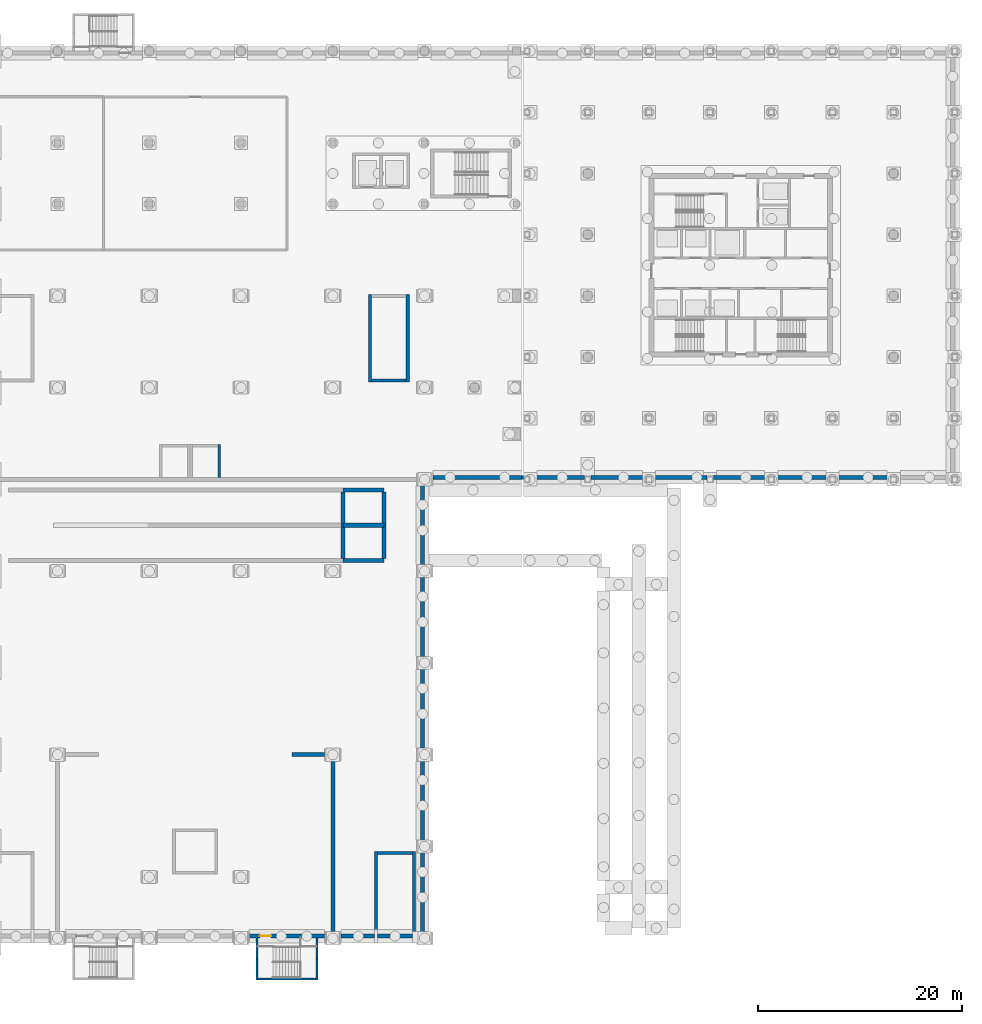
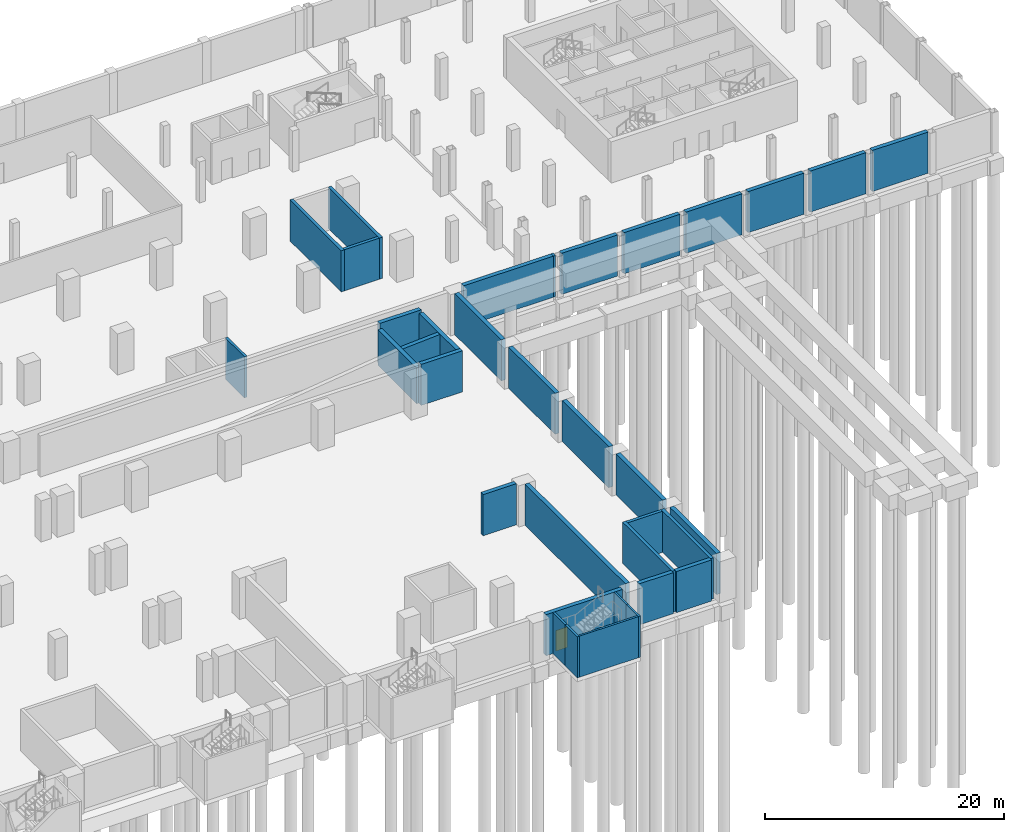
# One storey, part 15 of 29: 35 walls, 1 door, 1 opening.
"""IFC4 building model written with IfcOpenShell, lengths in metres."""

from ifc_helpers import new_model, si_unit, direction, frame, frame_2d, origin, place, context, subcontext, project, spatial, polyline, rectangle, outline, extrude, material, layer, layer_set, type_object, element, fill, save


model = new_model("IFC4")

# Units and contexts
model_context = context("Model", 3, precision=1e-05, world=origin(), true_north=direction((0.0, 1.0)))
body_context = subcontext(model_context, "Body", "Model", "MODEL_VIEW")
ifc_project = project(units=[si_unit("LENGTHUNIT", "METRE"), si_unit("AREAUNIT", "SQUARE_METRE"), si_unit("VOLUMEUNIT", "CUBIC_METRE"), si_unit("PLANEANGLEUNIT", "RADIAN"), si_unit("MASSUNIT", "GRAM", prefix="KILO")], contexts=[model_context])

# Site, building, storey
site_placement = place(None, origin())
site = spatial("IfcSite", under=ifc_project, at=site_placement, CompositionType="ELEMENT")
building_placement = place(site_placement, origin())
building = spatial("IfcBuilding", under=site, at=building_placement, Name="Aravalli Gate Trade Fair Centre", CompositionType="ELEMENT")
storey_placement = place(building_placement, frame((0.0, 0.0, -8.39990234375)))
storey = spatial("IfcBuildingStorey", under=building, at=storey_placement, Name="B2", CompositionType="ELEMENT", Elevation=-8.39990234375)

# Walls
ifc_material_1 = material(Name="Compressible joint filler")
ifc_layer_1 = layer(ifc_material_1, 0.169921875, Name="Joint filler, soil side")
ifc_material_2 = material(Name="PVC waterstop")
ifc_layer_2 = layer(ifc_material_2, 0.06005859375, Name="PVC waterstop, centre bulb")
ifc_layer_3 = layer(ifc_material_1, 0.169921875, Name="Joint filler, inner face")
ifc_layer_set_1 = layer_set([ifc_layer_1, ifc_layer_2, ifc_layer_3], Name="Basement joint filler wall 400")
wall_type_1 = type_object("IfcWallType", Name="Basement joint filler wall 400", PredefinedType="SOLIDWALL", material=ifc_layer_set_1)
wall_1_placement = place(storey_placement, frame((159.5, 91.199951171875, 0.0), z_axis=(0.0, 0.0, 1.0), x_axis=(1.0, 0.0, 0.0)))
element("IfcWall", 1, at=wall_1_placement, inside=storey, type_object=wall_type_1, Name="Joint filler wall S2 B2", PredefinedType="SOLIDWALL", context=body_context, shape_type="SweptSolid", body=[
    extrude(rectangle(XDim=0.199951171875, YDim=0.39990234375, at=frame_2d((0.10009765625, 0.0))), origin(), (0.0, 0.0, 1.0), 4.199951171875),
])
ifc_material_3 = material(Name="Concrete M40", Category="concrete")
ifc_layer_4 = layer(ifc_material_3, 0.39990234375)
ifc_layer_set_2 = layer_set([ifc_layer_4], Name="Concrete M40")
wall_type_2 = type_object("IfcWallType", Name="Basement ramp edge wall 400", PredefinedType="SOLIDWALL", material=ifc_layer_set_2)
wall_2_placement = place(storey_placement, frame((146.0, 83.050048828125, 0.0), z_axis=(0.0, 0.0, 1.0), x_axis=(-1.0, 0.0, 0.0)))
element("IfcWall", 2, at=wall_2_placement, inside=storey, type_object=wall_type_2, Name="Ramp edge wall south a", PredefinedType="SOLIDWALL", context=body_context, shape_type="SweptSolid", body=[
    extrude(rectangle(XDim=4.0, YDim=0.39990234375, at=frame_2d((2.0, 0.0))), origin(), (0.0, 0.0, 1.0), 4.199951171875),
])
wall_3_placement = place(storey_placement, frame((146.0, 86.5, 0.0), z_axis=(0.0, 0.0, 1.0), x_axis=(-1.0, 0.0, 0.0)))
element("IfcWall", 3, at=wall_3_placement, inside=storey, type_object=wall_type_2, Name="Ramp bearing wall centre a", PredefinedType="SOLIDWALL", context=body_context, shape_type="SweptSolid", body=[
    extrude(outline(polyline([(0.0, 0.0), (4.0, 0.0), (4.0, 3.599853515625), (0.0, 3.849853515625), (0.0, 0.0)])), frame((0.0, 0.199951171875, 0.0), z_axis=(0.0, -1.0, 0.0), x_axis=(1.0, 0.0, 0.0)), (0.0, 0.0, 1.0), 0.39990234375),
])
wall_4_placement = place(storey_placement, frame((146.0, 89.949951171875, 0.0), z_axis=(0.0, 0.0, 1.0), x_axis=(-1.0, 0.0, 0.0)))
element("IfcWall", 4, at=wall_4_placement, inside=storey, type_object=wall_type_2, Name="Ramp edge wall north a", PredefinedType="SOLIDWALL", context=body_context, shape_type="SweptSolid", body=[
    extrude(rectangle(XDim=4.0, YDim=0.39990234375, at=frame_2d((2.0, 0.0))), origin(), (0.0, 0.0, 1.0), 4.199951171875),
])
wall_5_placement = place(storey_placement, frame((146.0, 83.25, 0.0), z_axis=(0.0, 0.0, 1.0), x_axis=(0.0, 1.0, 0.0)))
element("IfcWall", 5, at=wall_5_placement, inside=storey, type_object=wall_type_2, Name="Ramp bearing wall B1", PredefinedType="SOLIDWALL", context=body_context, shape_type="SweptSolid", body=[
    extrude(rectangle(XDim=6.5, YDim=0.39990234375, at=frame_2d((3.25, 0.0))), origin(), (0.0, 0.0, 1.0), 3.89990234375),
])
wall_6_placement = place(storey_placement, frame((142.0, 83.25, 0.0), z_axis=(0.0, 0.0, 1.0), x_axis=(0.0, 1.0, 0.0)))
element("IfcWall", 6, at=wall_6_placement, inside=storey, type_object=wall_type_2, Name="Ramp bearing wall B2", PredefinedType="SOLIDWALL", context=body_context, shape_type="SweptSolid", body=[
    extrude(rectangle(XDim=6.5, YDim=0.39990234375, at=frame_2d((3.25, 0.0))), origin(), (0.0, 0.0, 1.0), 3.64990234375),
])

# Wall, opening, door
ifc_layer_5 = layer(ifc_material_3, 0.39990234375)
ifc_layer_set_3 = layer_set([ifc_layer_5], Name="Concrete M40")
wall_type_3 = type_object("IfcWallType", Name="Basement retaining wall 400", PredefinedType="SOLIDWALL", material=ifc_layer_set_3)
wall_7_placement = place(storey_placement, frame((132.800048828125, 46.199951171875, 0.0), z_axis=(0.0, 0.0, 1.0), x_axis=(1.0, 0.0, 0.0)))
wall_7 = element("IfcWall", 7, at=wall_7_placement, inside=storey, type_object=wall_type_3, Name="Retaining wall S16 B2", PredefinedType="SOLIDWALL", context=body_context, shape_type="SweptSolid", body=[
    extrude(rectangle(XDim=7.39990234375, YDim=0.39990234375, at=frame_2d((3.699951171875, 0.0))), origin(), (0.0, 0.0, 1.0), 4.199951171875),
])
opening_placement = place(wall_7_placement, frame((1.050048828125, 0.0, 0.0)))
opening = element("IfcOpeningElement", 8, at=opening_placement, cuts=wall_7, Name="Opening B-B2-13", PredefinedType="OPENING", context=body_context, shape_type="SweptSolid", body=[
    extrude(rectangle(XDim=1.10009765625, YDim=2.10009765625, at=frame_2d((0.550048828125, 1.050048828125))), frame((0.0, 0.2099609375, 0.0), z_axis=(0.0, -1.0, 0.0), x_axis=(1.0, 0.0, 0.0)), (0.0, 0.0, 1.0), 0.419921875),
])
ifc_material_4 = material(Name="Steel", Category="steel")
door_type = type_object("IfcDoorType", Name="Basement stair door 1100x2100", OperationType="SINGLE_SWING_LEFT", PredefinedType="DOOR", material=ifc_material_4)
door_placement = place(opening_placement, frame((1.10009765625, 0.0, 0.0), z_axis=(0.0, 0.0, 1.0), x_axis=(-1.0, 0.0, 0.0)))
door = element("IfcDoor", 9, at=door_placement, inside=storey, type_object=door_type, Name="Basement stair S7 door B2", OperationType="SINGLE_SWING_RIGHT", OverallHeight=2.10009765625, OverallWidth=1.10009765625, PredefinedType="DOOR", context=body_context, shape_type="SweptSolid", body=[
    extrude(rectangle(XDim=1.10009765625, YDim=2.10009765625, at=frame_2d((0.550048828125, 1.050048828125))), frame((0.0, 0.02490234375, 0.0), z_axis=(0.0, -1.0, 0.0), x_axis=(1.0, 0.0, 0.0)), (0.0, 0.0, 1.0), 0.050048828125),
])
fill(opening, door)

# Walls
wall_8_placement = place(storey_placement, frame((141.800048828125, 46.199951171875, 0.0), z_axis=(0.0, 0.0, 1.0), x_axis=(1.0, 0.0, 0.0)))
element("IfcWall", 10, at=wall_8_placement, inside=storey, type_object=wall_type_3, Name="Retaining wall S17 B2", PredefinedType="SOLIDWALL", context=body_context, shape_type="SweptSolid", body=[
    extrude(rectangle(XDim=3.300048828125, YDim=0.39990234375, at=frame_2d((1.64990234375, 0.0))), origin(), (0.0, 0.0, 1.0), 4.199951171875),
])
wall_9_placement = place(storey_placement, frame((145.39990234375, 46.199951171875, 0.0), z_axis=(0.0, 0.0, 1.0), x_axis=(1.0, 0.0, 0.0)))
element("IfcWall", 11, at=wall_9_placement, inside=storey, type_object=wall_type_3, Name="Retaining wall S18 B2", PredefinedType="SOLIDWALL", context=body_context, shape_type="SweptSolid", body=[
    extrude(rectangle(XDim=3.400146484375, YDim=0.39990234375, at=frame_2d((1.7001953125, 0.0))), origin(), (0.0, 0.0, 1.0), 4.199951171875),
])
for number, where, z_axis, x_axis, name in (
    (12, (149.800048828125, 46.60009765625, 0.0), (0.0, 0.0, 1.0), (0.0, 1.0, 0.0), "Retaining wall E101 B2"),
    (13, (149.800048828125, 55.60009765625, 0.0), (0.0, 0.0, 1.0), (0.0, 1.0, 0.0), "Retaining wall E102 B2"),
    (14, (149.800048828125, 64.60009765625, 0.0), (0.0, 0.0, 1.0), (0.0, 1.0, 0.0), "Retaining wall E103 B2"),
    (15, (149.800048828125, 73.60009765625, 0.0), (0.0, 0.0, 1.0), (0.0, 1.0, 0.0), "Retaining wall E104 B2"),
    (16, (149.800048828125, 82.60009765625, 0.0), (0.0, 0.0, 1.0), (0.0, 1.0, 0.0), "Retaining wall E105 B2"),
):
    element("IfcWall", number, at=place(storey_placement, frame(where, z_axis=z_axis, x_axis=x_axis)), inside=storey, type_object=wall_type_3, Name=name, PredefinedType="SOLIDWALL", context=body_context, shape_type="SweptSolid", body=[
        extrude(rectangle(XDim=7.7998046875, YDim=0.39990234375, at=frame_2d((3.89990234375, 0.0))), origin(), (0.0, 0.0, 1.0), 4.199951171875),
    ])
wall_10_placement = place(storey_placement, frame((150.800048828125, 91.199951171875, 0.0), z_axis=(0.0, 0.0, 1.0), x_axis=(1.0, 0.0, 0.0)))
element("IfcWall", 17, at=wall_10_placement, inside=storey, type_object=wall_type_3, Name="Retaining wall S201 B2", PredefinedType="SOLIDWALL", context=body_context, shape_type="SweptSolid", body=[
    extrude(rectangle(XDim=8.699951171875, YDim=0.39990234375, at=frame_2d((4.35009765625, 0.0))), origin(), (0.0, 0.0, 1.0), 4.199951171875),
])
for number, where, z_axis, x_axis, name in (
    (18, (160.300048828125, 91.199951171875, 0.0), (0.0, 0.0, 1.0), (1.0, 0.0, 0.0), "Retaining wall S202 B2"),
    (19, (166.300048828125, 91.199951171875, 0.0), (0.0, 0.0, 1.0), (1.0, 0.0, 0.0), "Retaining wall S203 B2"),
    (20, (172.300048828125, 91.199951171875, 0.0), (0.0, 0.0, 1.0), (1.0, 0.0, 0.0), "Retaining wall S204 B2"),
    (21, (178.300048828125, 91.199951171875, 0.0), (0.0, 0.0, 1.0), (1.0, 0.0, 0.0), "Retaining wall S205 B2"),
    (22, (184.300048828125, 91.199951171875, 0.0), (0.0, 0.0, 1.0), (1.0, 0.0, 0.0), "Retaining wall S206 B2"),
    (23, (190.300048828125, 91.199951171875, 0.0), (0.0, 0.0, 1.0), (1.0, 0.0, 0.0), "Retaining wall S207 B2"),
):
    element("IfcWall", number, at=place(storey_placement, frame(where, z_axis=z_axis, x_axis=x_axis)), inside=storey, type_object=wall_type_3, Name=name, PredefinedType="SOLIDWALL", context=body_context, shape_type="SweptSolid", body=[
        extrude(rectangle(XDim=5.39990234375, YDim=0.39990234375, at=frame_2d((2.699951171875, 0.0))), origin(), (0.0, 0.0, 1.0), 4.199951171875),
    ])
ifc_material_5 = material(Name="Concrete M35", Category="concrete")
ifc_layer_6 = layer(ifc_material_5, 0.199951171875)
ifc_layer_set_4 = layer_set([ifc_layer_6], Name="Concrete M35")
wall_type_4 = type_object("IfcWallType", Name="Basement stair enclosure wall 200", PredefinedType="SOLIDWALL", material=ifc_layer_set_4)
for number, where, z_axis, x_axis, name in (
    (24, (133.550048828125, 46.0, 0.0), (0.0, 0.0, 1.0), (0.0, -1.0, 0.0), "Basement stair S7 enclosure wall L1 B2"),
    (25, (133.550048828125, 43.949951171875, 0.0), (0.0, 0.0, 1.0), (0.0, -1.0, 0.0), "Basement stair S7 enclosure wall L2 B2"),
    (26, (139.449951171875, 46.0, 0.0), (0.0, 0.0, 1.0), (0.0, -1.0, 0.0), "Basement stair S7 enclosure wall R1 B2"),
    (27, (139.449951171875, 43.949951171875, 0.0), (0.0, 0.0, 1.0), (0.0, -1.0, 0.0), "Basement stair S7 enclosure wall R2 B2"),
):
    element("IfcWall", number, at=place(storey_placement, frame(where, z_axis=z_axis, x_axis=x_axis)), inside=storey, type_object=wall_type_4, Name=name, PredefinedType="SOLIDWALL", context=body_context, shape_type="SweptSolid", body=[
        extrude(rectangle(XDim=2.050048828125, YDim=0.199951171875, at=frame_2d((1.02490234375, 0.0))), origin(), (0.0, 0.0, 1.0), 4.199951171875),
    ])
wall_11_placement = place(storey_placement, frame((133.64990234375, 42.0, 0.0), z_axis=(0.0, 0.0, 1.0), x_axis=(1.0, 0.0, 0.0)))
element("IfcWall", 28, at=wall_11_placement, inside=storey, type_object=wall_type_4, Name="Basement stair S7 enclosure wall O B2", PredefinedType="SOLIDWALL", context=body_context, shape_type="SweptSolid", body=[
    extrude(rectangle(XDim=5.7001953125, YDim=0.199951171875, at=frame_2d((2.85009765625, 0.0))), origin(), (0.0, 0.0, 1.0), 4.199951171875),
])
ifc_layer_7 = layer(ifc_material_3, 0.25)
ifc_layer_set_5 = layer_set([ifc_layer_7], Name="Concrete M40")
wall_type_5 = type_object("IfcWallType", Name="Congress RC wall 250 shaft", PredefinedType="SHEAR", material=ifc_layer_set_5)
wall_12_placement = place(storey_placement, frame((129.875, 91.199951171875, 0.0), z_axis=(0.0, 0.0, 1.0), x_axis=(0.0, 1.0, 0.0)))
element("IfcWall", 29, at=wall_12_placement, inside=storey, type_object=wall_type_5, Name="Lift GL2 shaft wall E B2", PredefinedType="SHEAR", context=body_context, shape_type="SweptSolid", body=[
    extrude(rectangle(XDim=3.199951171875, YDim=0.25, at=frame_2d((1.60009765625, 0.0))), origin(), (0.0, 0.0, 1.0), 4.199951171875),
])
ifc_layer_8 = layer(ifc_material_3, 0.300048828125)
ifc_layer_set_6 = layer_set([ifc_layer_8], Name="Concrete M40")
wall_type_6 = type_object("IfcWallType", Name="Congress RC wall 300", PredefinedType="SHEAR", material=ifc_layer_set_6)
for number, where, z_axis, x_axis, name in (
    (30, (145.25, 46.199951171875, 0.0), (0.0, 0.0, 1.0), (0.0, 1.0, 0.0), "Stage Stair East wall W B2"),
    (31, (148.949951171875, 46.199951171875, 0.0), (0.0, 0.0, 1.0), (0.0, 1.0, 0.0), "Stage Stair East wall E B2"),
):
    element("IfcWall", number, at=place(storey_placement, frame(where, z_axis=z_axis, x_axis=x_axis)), inside=storey, type_object=wall_type_6, Name=name, PredefinedType="SHEAR", context=body_context, shape_type="SweptSolid", body=[
        extrude(rectangle(XDim=8.300048828125, YDim=0.300048828125, at=frame_2d((4.14990234375, 0.0))), origin(), (0.0, 0.0, 1.0), 4.199951171875),
    ])
wall_13_placement = place(storey_placement, frame((145.39990234375, 54.35009765625, 0.0), z_axis=(0.0, 0.0, 1.0), x_axis=(1.0, 0.0, 0.0)))
element("IfcWall", 32, at=wall_13_placement, inside=storey, type_object=wall_type_6, Name="Stage Stair East wall N B2", PredefinedType="SHEAR", context=body_context, shape_type="SweptSolid", body=[
    extrude(rectangle(XDim=3.400146484375, YDim=0.300048828125, at=frame_2d((1.7001953125, 0.0))), origin(), (0.0, 0.0, 1.0), 4.199951171875),
])
for number, where, z_axis, x_axis, name in (
    (33, (144.64990234375, 100.550048828125, 0.0), (0.0, 0.0, 1.0), (0.0, 1.0, 0.0), "Foyer Stair East wall W B2"),
    (34, (148.35009765625, 100.550048828125, 0.0), (0.0, 0.0, 1.0), (0.0, 1.0, 0.0), "Foyer Stair East wall E B2"),
):
    element("IfcWall", number, at=place(storey_placement, frame(where, z_axis=z_axis, x_axis=x_axis)), inside=storey, type_object=wall_type_6, Name=name, PredefinedType="SHEAR", context=body_context, shape_type="SweptSolid", body=[
        extrude(rectangle(XDim=8.599853515625, YDim=0.300048828125, at=frame_2d((4.2998046875, 0.0))), origin(), (0.0, 0.0, 1.0), 4.199951171875),
    ])
wall_14_placement = place(storey_placement, frame((144.800048828125, 100.699951171875, 0.0), z_axis=(0.0, 0.0, 1.0), x_axis=(1.0, 0.0, 0.0)))
element("IfcWall", 35, at=wall_14_placement, inside=storey, type_object=wall_type_6, Name="Foyer Stair East wall S B2", PredefinedType="SHEAR", context=body_context, shape_type="SweptSolid", body=[
    extrude(rectangle(XDim=3.39990234375, YDim=0.300048828125, at=frame_2d((1.699951171875, 0.0))), origin(), (0.0, 0.0, 1.0), 4.199951171875),
])
ifc_layer_9 = layer(ifc_material_3, 0.39990234375)
ifc_layer_set_7 = layer_set([ifc_layer_9], Name="Concrete M40")
wall_type_7 = type_object("IfcWallType", Name="Congress RC wall 400", PredefinedType="SHEAR", material=ifc_layer_set_7)
wall_15_placement = place(storey_placement, frame((141.0, 46.60009765625, 0.0), z_axis=(0.0, 0.0, 1.0), x_axis=(0.0, 1.0, 0.0)))
element("IfcWall", 36, at=wall_15_placement, inside=storey, type_object=wall_type_7, Name="Stage house wall line 141 B2", PredefinedType="SHEAR", context=body_context, shape_type="SweptSolid", body=[
    extrude(rectangle(XDim=16.7998046875, YDim=0.39990234375, at=frame_2d((8.39990234375, 0.0))), origin(), (0.0, 0.0, 1.0), 4.199951171875),
])
wall_16_placement = place(storey_placement, frame((137.0, 64.0, 0.0), z_axis=(0.0, 0.0, 1.0), x_axis=(1.0, 0.0, 0.0)))
element("IfcWall", 37, at=wall_16_placement, inside=storey, type_object=wall_type_7, Name="Proscenium wall E B2", PredefinedType="SHEAR", context=body_context, shape_type="SweptSolid", body=[
    extrude(rectangle(XDim=3.199951171875, YDim=0.39990234375, at=frame_2d((1.60009765625, 0.0))), origin(), (0.0, 0.0, 1.0), 4.199951171875),
])

save(model, "model.ifc")
